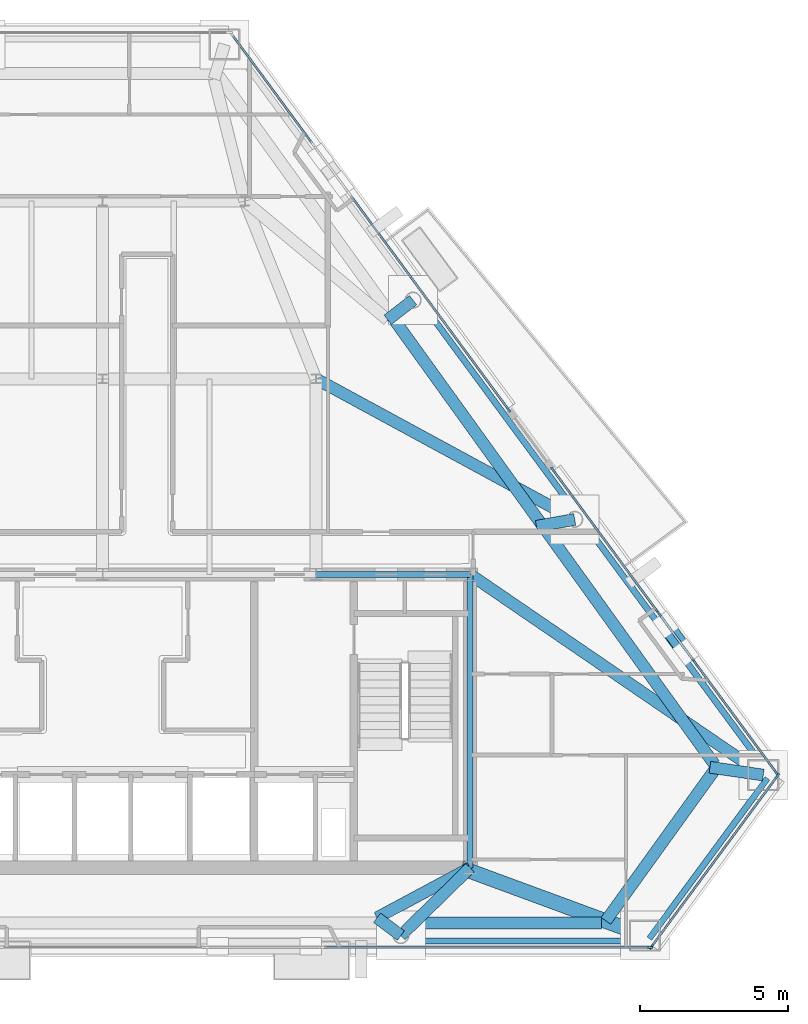
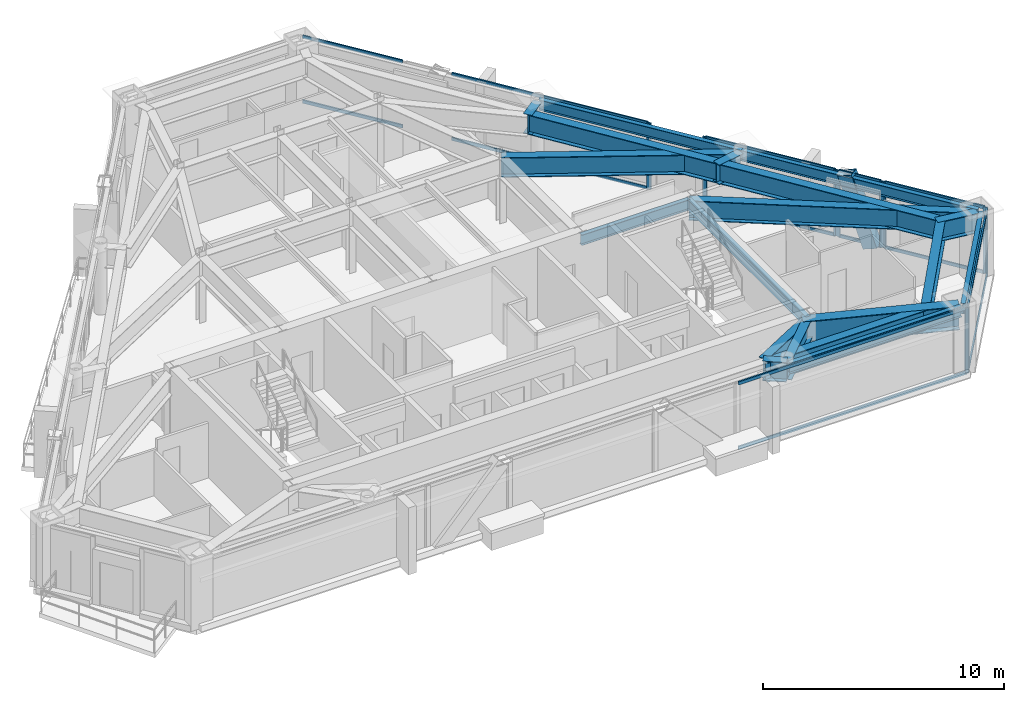
# One storey, part 5 of 12: 25 members, 19 beams, 7 elements without a shape of their own.
"""IFC4 building model written with IfcOpenShell, lengths in metres."""

from ifc_helpers import new_model, si_unit, direction, frame, origin, origin_2d, place, context, subcontext, project, spatial, rectangle, hollow_rectangle, i_section, extrude, material, layer, layer_set, material_profile, profile_set, type_object, element, aggregate, save


model = new_model("IFC4")

# Units and contexts
model_context = context("Model", 3, precision=1e-05, world=origin(), true_north=direction((0.0, 1.0)))
body_context = subcontext(model_context, "Body", "Model", "MODEL_VIEW")
ifc_project = project(units=[si_unit("LENGTHUNIT", "METRE"), si_unit("AREAUNIT", "SQUARE_METRE"), si_unit("VOLUMEUNIT", "CUBIC_METRE"), si_unit("PLANEANGLEUNIT", "RADIAN"), si_unit("MASSUNIT", "GRAM", prefix="KILO")], contexts=[model_context])

# Site, building, storey
site_placement = place(None, origin())
site = spatial("IfcSite", under=ifc_project, at=site_placement, CompositionType="ELEMENT")
building_placement = place(site_placement, origin())
building = spatial("IfcBuilding", under=site, at=building_placement, Name="Talgorran Terracotta Tower", CompositionType="ELEMENT")
storey_placement = place(building_placement, frame((0.0, 0.0, 182.10009765625)))
storey = spatial("IfcBuildingStorey", under=building, at=storey_placement, Name="L47", CompositionType="ELEMENT", Elevation=182.10009765625)

# Beams
ifc_material_1 = material(Name="Steel Grade 350 (350L0)", Category="steel")
ifc_material_profile_1 = material_profile(ifc_material_1, i_section(OverallWidth=0.39990234375, OverallDepth=1.0, WebThickness=0.01611328125, FlangeThickness=0.031005859375, at=origin_2d()), Name="1000WB296")
ifc_profile_set_1 = profile_set([ifc_material_profile_1], Name="Steel Grade 350 (350L0)")
beam_type_1 = type_object("IfcBeamType", Name="BM_1000WB296", PredefinedType="BEAM", material=ifc_profile_set_1)
beam_1_placement = place(storey_placement, frame((12.39990234375, -14.10009765625, 2.849853515625), z_axis=(-0.714577354867, -0.699556433686, 0.0), x_axis=(0.699556433686, -0.714577354867, 0.0)))
element("IfcBeam", 1, at=beam_1_placement, inside=storey, type_object=beam_type_1, Name="L47 South-East Core Tie Beam", PredefinedType="BEAM", context=body_context, shape_type="SweptSolid", body=[
    extrude(i_section(OverallWidth=0.39990234375, OverallDepth=1.0, WebThickness=0.01611328125, FlangeThickness=0.031005859375, at=origin_2d()), origin(), (0.0, 0.0, 1.0), 3.266845703125),
])
beam_2_placement = place(storey_placement, frame((9.259765625, -15.965576171875, 2.849853515625), z_axis=(1.0, 0.0, 0.0), x_axis=(0.0, 1.0, 0.0)))
element("IfcBeam", 2, at=beam_2_placement, inside=storey, type_object=beam_type_1, Name="L47 Setback Inner Spandrel Girder 4", PredefinedType="BEAM", context=body_context, shape_type="SweptSolid", body=[
    extrude(i_section(OverallWidth=0.39990234375, OverallDepth=1.0, WebThickness=0.01611328125, FlangeThickness=0.031005859375, at=origin_2d()), origin(), (0.0, 0.0, 1.0), 7.576171875),
])
beam_3_placement = place(storey_placement, frame((16.982177734375, -15.890869140625, 2.849853515625), z_axis=(0.584403369452, 0.811463308951, 0.0), x_axis=(-0.811463308951, 0.584403369452, 0.0)))
element("IfcBeam", 3, at=beam_3_placement, inside=storey, type_object=beam_type_1, Name="L47 Setback Inner Spandrel Girder 5", PredefinedType="BEAM", context=body_context, shape_type="SweptSolid", body=[
    extrude(i_section(OverallWidth=0.39990234375, OverallDepth=1.0, WebThickness=0.01611328125, FlangeThickness=0.031005859375, at=origin_2d()), origin(), (0.0, 0.0, 1.0), 6.2587890625),
])
beam_4_placement = place(storey_placement, frame((20.639892578125, -10.6015625, 2.849853515625), z_axis=(-0.584408080177, 0.811459916339, 0.0), x_axis=(-0.811459916339, -0.584408080177, 0.0)))
element("IfcBeam", 4, at=beam_4_placement, inside=storey, type_object=beam_type_1, Name="L47 Setback Inner Spandrel Girder 6", PredefinedType="BEAM", context=body_context, shape_type="SweptSolid", body=[
    extrude(i_section(OverallWidth=0.39990234375, OverallDepth=1.0, WebThickness=0.01611328125, FlangeThickness=0.031005859375, at=origin_2d()), origin(), (0.0, 0.0, 1.0), 10.018310546875),
])
beam_5_placement = place(storey_placement, frame((14.78515625, -2.47216796875, 2.849853515625), z_axis=(-0.584426052547, 0.811446972453, 0.0), x_axis=(-0.811446972453, -0.584426052547, 0.0)))
element("IfcBeam", 5, at=beam_5_placement, inside=storey, type_object=beam_type_1, Name="L47 Setback Inner Spandrel Girder 7", PredefinedType="BEAM", context=body_context, shape_type="SweptSolid", body=[
    extrude(i_section(OverallWidth=0.39990234375, OverallDepth=1.0, WebThickness=0.01611328125, FlangeThickness=0.031005859375, at=origin_2d()), origin(), (0.0, 0.0, 1.0), 8.587158203125),
])
beam_6_placement = place(storey_placement, frame((10.0654296875, -16.385498046875, 2.849853515625), z_axis=(-0.802095130729, 0.597196283697, 0.0), x_axis=(-0.597196283697, -0.802095130729, 0.0)))
element("IfcBeam", 6, at=beam_6_placement, inside=storey, type_object=beam_type_1, Name="L47 Perimeter Step Girder 4A", PredefinedType="BEAM", context=body_context, shape_type="SweptSolid", body=[
    extrude(i_section(OverallWidth=0.39990234375, OverallDepth=1.0, WebThickness=0.01611328125, FlangeThickness=0.031005859375, at=origin_2d()), origin(), (0.0, 0.0, 1.0), 1.00439453125),
])
beam_7_placement = place(storey_placement, frame((9.259765625, -15.78564453125, 2.849853515625), z_axis=(0.881090647675, 0.472947428981, 0.0), x_axis=(-0.472947428981, 0.881090647675, 0.0)))
element("IfcBeam", 7, at=beam_7_placement, inside=storey, type_object=beam_type_1, Name="L47 Perimeter Step Girder 4B", PredefinedType="BEAM", context=body_context, shape_type="SweptSolid", body=[
    extrude(i_section(OverallWidth=0.39990234375, OverallDepth=1.0, WebThickness=0.01611328125, FlangeThickness=0.031005859375, at=origin_2d()), origin(), (0.0, 0.0, 1.0), 3.56396484375),
])
beam_8_placement = place(storey_placement, frame((22.2939453125, -10.97021484375, 2.849853515625), z_axis=(-0.98946340849, 0.144783159447, 0.0), x_axis=(-0.144783159447, -0.98946340849, 0.0)))
element("IfcBeam", 8, at=beam_8_placement, inside=storey, type_object=beam_type_1, Name="L47 Perimeter Step Girder 6A", PredefinedType="BEAM", context=body_context, shape_type="SweptSolid", body=[
    extrude(i_section(OverallWidth=0.39990234375, OverallDepth=1.0, WebThickness=0.01611328125, FlangeThickness=0.031005859375, at=origin_2d()), origin(), (0.0, 0.0, 1.0), 1.819580078125),
])
beam_9_placement = place(storey_placement, frame((15.930908203125, -2.34130859375, 2.849853515625), z_axis=(-0.983711896277, -0.179752343859, 0.0), x_axis=(0.179752343859, -0.983711896277, 0.0)))
element("IfcBeam", 9, at=beam_9_placement, inside=storey, type_object=beam_type_1, Name="L47 Perimeter Step Girder 7A", PredefinedType="BEAM", context=body_context, shape_type="SweptSolid", body=[
    extrude(i_section(OverallWidth=0.39990234375, OverallDepth=1.0, WebThickness=0.01611328125, FlangeThickness=0.031005859375, at=origin_2d()), origin(), (0.0, 0.0, 1.0), 1.3134765625),
])
beam_10_placement = place(storey_placement, frame((10.47705078125, 5.0546875, 2.849853515625), z_axis=(-0.790273232006, -0.612754615466, 0.0), x_axis=(0.612754615466, -0.790273232006, 0.0)))
element("IfcBeam", 10, at=beam_10_placement, inside=storey, type_object=beam_type_1, Name="L47 Perimeter Step Girder 8A", PredefinedType="BEAM", context=body_context, shape_type="SweptSolid", body=[
    extrude(i_section(OverallWidth=0.39990234375, OverallDepth=1.0, WebThickness=0.01611328125, FlangeThickness=0.031005859375, at=origin_2d()), origin(), (0.0, 0.0, 1.0), 1.083740234375),
])
beam_11_placement = place(storey_placement, frame((7.199951171875, 2.39990234375, 2.849853515625), z_axis=(0.878788070387, -0.477212245594, 0.0), x_axis=(0.477212245594, 0.878788070387, 0.0)))
element("IfcBeam", 11, at=beam_11_placement, inside=storey, type_object=beam_type_1, Name="L47 Floor Girder G07", PredefinedType="BEAM", context=body_context, shape_type="SweptSolid", body=[
    extrude(i_section(OverallWidth=0.39990234375, OverallDepth=1.0, WebThickness=0.01611328125, FlangeThickness=0.031005859375, at=origin_2d()), origin(), (0.0, 0.0, 1.0), 9.935302734375),
])
beam_12_placement = place(storey_placement, frame((12.39990234375, -4.199951171875, 2.849853515625), z_axis=(0.82528178588, -0.564721147023, 0.0), x_axis=(0.564721147023, 0.82528178588, 0.0)))
element("IfcBeam", 12, at=beam_12_placement, inside=storey, type_object=beam_type_1, Name="L47 Floor Girder G18", PredefinedType="BEAM", context=body_context, shape_type="SweptSolid", body=[
    extrude(i_section(OverallWidth=0.39990234375, OverallDepth=1.0, WebThickness=0.01611328125, FlangeThickness=0.031005859375, at=origin_2d()), origin(), (0.0, 0.0, 1.0), 11.98876953125),
])
ifc_material_profile_2 = material_profile(ifc_material_1, i_section(OverallWidth=0.5, OverallDepth=1.199951171875, WebThickness=0.01611328125, FlangeThickness=0.035888671875, at=origin_2d()), Name="1200WB392")
ifc_profile_set_2 = profile_set([ifc_material_profile_2], Name="Steel Grade 350 (350L0)")
beam_type_2 = type_object("IfcBeamType", Name="BM_1200WB392", PredefinedType="BEAM", material=ifc_profile_set_2)
beam_13_placement = place(storey_placement, frame((18.30078125, -16.385498046875, 2.75), z_axis=(-0.938297063981, 0.345830333724, 0.0), x_axis=(-0.345830333724, -0.938297063981, 0.0)))
element("IfcBeam", 13, at=beam_13_placement, inside=storey, type_object=beam_type_2, Name="L47 Perimeter Step Girder 5", PredefinedType="BEAM", context=body_context, shape_type="SweptSolid", body=[
    extrude(i_section(OverallWidth=0.5, OverallDepth=1.199951171875, WebThickness=0.01611328125, FlangeThickness=0.035888671875, at=origin_2d()), origin(), (0.0, 0.0, 1.0), 6.6083984375),
])
ifc_material_2 = material(Name="Steel S355 (300PLUS)", Category="steel")
ifc_material_profile_3 = material_profile(ifc_material_2, i_section(OverallWidth=0.209228515625, OverallDepth=0.532958984375, WebThickness=0.01025390625, FlangeThickness=0.015625, at=origin_2d()), Name="530UB92.4")
ifc_profile_set_3 = profile_set([ifc_material_profile_3], Name="Steel S355 (300PLUS)")
beam_type_3 = type_object("IfcBeamType", Name="BM_SP_530UB92", PredefinedType="SPANDREL", material=ifc_profile_set_3)
beam_14_placement = place(storey_placement, frame((10.0654296875, -16.565673828125, 3.08349609375), z_axis=(1.0, 0.0, 0.0), x_axis=(0.0, 1.0, 0.0)))
element("IfcBeam", 14, at=beam_14_placement, inside=storey, type_object=beam_type_3, Name="L47 Perimeter Spandrel Beam FC2-MC3", PredefinedType="SPANDREL", context=body_context, shape_type="SweptSolid", body=[
    extrude(i_section(OverallWidth=0.209228515625, OverallDepth=0.532958984375, WebThickness=0.01025390625, FlangeThickness=0.015625, at=origin_2d()), origin(), (0.0, 0.0, 1.0), 8.2353515625),
])
beam_15_placement = place(storey_placement, frame((18.445556640625, -16.492431640625, 3.08349609375), z_axis=(0.593483681594, 0.804846022343, 0.0), x_axis=(-0.804846022343, 0.593483681594, 0.0)))
element("IfcBeam", 15, at=beam_15_placement, inside=storey, type_object=beam_type_3, Name="L47 Perimeter Spandrel Beam MC3-MC4", PredefinedType="SPANDREL", context=body_context, shape_type="SweptSolid", body=[
    extrude(i_section(OverallWidth=0.209228515625, OverallDepth=0.532958984375, WebThickness=0.01025390625, FlangeThickness=0.015625, at=origin_2d()), origin(), (0.0, 0.0, 1.0), 6.728271484375),
])
beam_16_placement = place(storey_placement, frame((22.438720703125, -10.863525390625, 3.08349609375), z_axis=(-0.593480195487, 0.804848592944, 0.0), x_axis=(-0.804848592944, -0.593480195487, 0.0)))
element("IfcBeam", 16, at=beam_16_placement, inside=storey, type_object=beam_type_3, Name="L47 Perimeter Spandrel Beam MC4-FC3", PredefinedType="SPANDREL", context=body_context, shape_type="SweptSolid", body=[
    extrude(i_section(OverallWidth=0.209228515625, OverallDepth=0.532958984375, WebThickness=0.01025390625, FlangeThickness=0.015625, at=origin_2d()), origin(), (0.0, 0.0, 1.0), 10.72119140625),
])
beam_17_placement = place(storey_placement, frame((16.075927734375, -2.234619140625, 3.08349609375), z_axis=(-0.593498050336, 0.804835426809, 0.0), x_axis=(-0.804835426809, -0.593498050336, 0.0)))
element("IfcBeam", 17, at=beam_17_placement, inside=storey, type_object=beam_type_3, Name="L47 Perimeter Spandrel Beam FC3-FC4", PredefinedType="SPANDREL", context=body_context, shape_type="SweptSolid", body=[
    extrude(i_section(OverallWidth=0.209228515625, OverallDepth=0.532958984375, WebThickness=0.01025390625, FlangeThickness=0.015625, at=origin_2d()), origin(), (0.0, 0.0, 1.0), 9.189697265625),
])
beam_18_placement = place(storey_placement, frame((12.39990234375, -14.10009765625, 3.08349609375), z_axis=(0.0, 1.0, 0.0), x_axis=(-1.0, 0.0, 0.0)))
element("IfcBeam", 18, at=beam_18_placement, inside=storey, type_object=beam_type_3, Name="L47 Core Frame Beam CFE", PredefinedType="SPANDREL", context=body_context, shape_type="SweptSolid", body=[
    extrude(i_section(OverallWidth=0.209228515625, OverallDepth=0.532958984375, WebThickness=0.01025390625, FlangeThickness=0.015625, at=origin_2d()), origin(), (0.0, 0.0, 1.0), 9.900146484375),
])
beam_19_placement = place(storey_placement, frame((7.199951171875, -4.199951171875, 3.08349609375), z_axis=(1.0, 0.0, 0.0), x_axis=(0.0, 1.0, 0.0)))
element("IfcBeam", 19, at=beam_19_placement, inside=storey, type_object=beam_type_3, Name="L47 Core Frame Beam CFN4", PredefinedType="SPANDREL", context=body_context, shape_type="SweptSolid", body=[
    extrude(i_section(OverallWidth=0.209228515625, OverallDepth=0.532958984375, WebThickness=0.01025390625, FlangeThickness=0.015625, at=origin_2d()), origin(), (0.0, 0.0, 1.0), 5.199951171875),
])

# Member
ifc_material_profile_4 = material_profile(ifc_material_1, hollow_rectangle(XDim=0.52001953125, YDim=0.659912109375, WallThickness=0.034912109375, at=origin_2d()), Name="WBOX660X520X35")
ifc_profile_set_4 = profile_set([ifc_material_profile_4], Name="Steel Grade 350 (350L0)")
member_type_1 = type_object("IfcMemberType", Name="MB_MEGA_660", PredefinedType="BRACE", material=ifc_profile_set_4)
member_1_placement = place(storey_placement, frame((19.67919921875, -6.818115234375, -0.025146484375), z_axis=(-0.190111846593, 0.257858322159, 0.947294342577), x_axis=(-0.804890374823, -0.593423528787, 0.0)))
element("IfcMember", 20, at=member_1_placement, inside=storey, type_object=member_type_1, Name="L47 Exterior Face Mega-Brace MB-3 (NEL)", PredefinedType="BRACE", context=body_context, shape_type="SweptSolid", body=[
    extrude(hollow_rectangle(XDim=0.52001953125, YDim=0.659912109375, WallThickness=0.034912109375, at=origin_2d()), origin(), (0.0, 0.0, 1.0), 3.58935546875),
])

# Curtain wall, member
ifc_material_3 = material(Name="High-Wind Unitised Glazing", Category="glass")
ifc_layer = layer(ifc_material_3, 0.2099609375, Name="CW_SYS3_RES_HIGH")
ifc_layer_set = layer_set([ifc_layer], Name="High-Wind Unitised Glazing")
curtain_wall_type = type_object("IfcCurtainWallType", Name="CW_SYS3_RES_HIGH", PredefinedType="NOTDEFINED", material=ifc_layer_set)
curtain_wall_1_placement = place(storey_placement, origin())
curtain_wall_1 = element("IfcCurtainWall", 21, at=curtain_wall_1_placement, inside=storey, type_object=curtain_wall_type, Name="CW-L47-F1E", PredefinedType="NOTDEFINED")
ifc_material_4 = material(Name="Architectural Aluminium 6063-T6", Category="aluminium")
ifc_material_profile_5 = material_profile(ifc_material_4, rectangle(XDim=0.070068359375, YDim=0.199951171875, at=origin_2d()), Name="CWM70X200")
ifc_profile_set_5 = profile_set([ifc_material_profile_5], Name="Architectural Aluminium 6063-T6")
member_type_2 = type_object("IfcMemberType", Name="MUL_70X200", PredefinedType="MULLION", material=ifc_profile_set_5)
member_2_placement = place(storey_placement, frame((18.4677734375, -16.78564453125, 0.0), z_axis=(0.0, 0.0, 1.0), x_axis=(0.0, 1.0, 0.0)))
member_2 = element("IfcMember", 22, at=member_2_placement, type_object=member_type_2, Name="CW-L47-1E mullion 2", PredefinedType="MULLION", context=body_context, shape_type="SweptSolid", body=[
    extrude(rectangle(XDim=0.070068359375, YDim=0.199951171875, at=origin_2d()), origin(), (0.0, 0.0, 1.0), 3.349853515625),
])

# Curtain wall, members
curtain_wall_2_placement = place(storey_placement, origin())
curtain_wall_2 = element("IfcCurtainWall", 23, at=curtain_wall_2_placement, inside=storey, type_object=curtain_wall_type, Name="CW-L47-F2", PredefinedType="NOTDEFINED")
member_3_placement = place(storey_placement, frame((18.5234375, -16.75732421875, 0.0), z_axis=(0.0, 0.0, 1.0), x_axis=(-0.804841499819, 0.593489814714, 0.0)))
member_3 = element("IfcMember", 24, at=member_3_placement, type_object=member_type_2, Name="CW-L47-2 mullion 1", PredefinedType="MULLION", context=body_context, shape_type="SweptSolid", body=[
    extrude(rectangle(XDim=0.070068359375, YDim=0.199951171875, at=origin_2d()), origin(), (0.0, 0.0, 1.0), 3.349853515625),
])
member_4_placement = place(storey_placement, frame((22.77001953125, -10.99853515625, 0.0), z_axis=(0.0, 0.0, 1.0), x_axis=(-0.804841499819, 0.593489814714, 0.0)))
member_4 = element("IfcMember", 25, at=member_4_placement, type_object=member_type_2, Name="CW-L47-2 mullion 2", PredefinedType="MULLION", context=body_context, shape_type="SweptSolid", body=[
    extrude(rectangle(XDim=0.070068359375, YDim=0.199951171875, at=origin_2d()), origin(), (0.0, 0.0, 1.0), 3.349853515625),
])

curtain_wall_3_placement = place(storey_placement, origin())
curtain_wall_3 = element("IfcCurtainWall", 26, at=curtain_wall_3_placement, inside=storey, type_object=curtain_wall_type, Name="CW-L47-F40", PredefinedType="NOTDEFINED")
member_5_placement = place(storey_placement, frame((22.746337890625, -10.909912109375, 0.0), z_axis=(0.0, 0.0, 1.0), x_axis=(-0.804836710132, -0.593496310034, 0.0)))
member_5 = element("IfcMember", 27, at=member_5_placement, type_object=member_type_2, Name="CW-L47-40 mullion 1", PredefinedType="MULLION", context=body_context, shape_type="SweptSolid", body=[
    extrude(rectangle(XDim=0.070068359375, YDim=0.199951171875, at=origin_2d()), origin(), (0.0, 0.0, 1.0), 3.349853515625),
])
member_6_placement = place(storey_placement, frame((20.009765625, -7.19873046875, 0.0), z_axis=(0.0, 0.0, 1.0), x_axis=(-0.804836710132, -0.593496310034, 0.0)))
member_6 = element("IfcMember", 28, at=member_6_placement, type_object=member_type_2, Name="CW-L47-40 mullion 2", PredefinedType="MULLION", context=body_context, shape_type="SweptSolid", body=[
    extrude(rectangle(XDim=0.070068359375, YDim=0.199951171875, at=origin_2d()), origin(), (0.0, 0.0, 1.0), 3.349853515625),
])

curtain_wall_4_placement = place(storey_placement, origin())
curtain_wall_4 = element("IfcCurtainWall", 29, at=curtain_wall_4_placement, inside=storey, type_object=curtain_wall_type, Name="CW-L47-F40B", PredefinedType="NOTDEFINED")
member_7_placement = place(storey_placement, frame((19.96240234375, -7.134521484375, 0.0), z_axis=(0.0, 0.0, 1.0), x_axis=(-0.804842805539, -0.593488044001, 0.0)))
member_7 = element("IfcMember", 30, at=member_7_placement, type_object=member_type_2, Name="CW-L47-40B mullion 1", PredefinedType="MULLION", context=body_context, shape_type="SweptSolid", body=[
    extrude(rectangle(XDim=0.070068359375, YDim=0.199951171875, at=origin_2d()), origin(), (0.0, 0.0, 1.0), 3.349853515625),
])
member_8_placement = place(storey_placement, frame((18.778076171875, -5.528564453125, 0.0), z_axis=(0.0, 0.0, 1.0), x_axis=(-0.804842805539, -0.593488044001, 0.0)))
member_8 = element("IfcMember", 31, at=member_8_placement, type_object=member_type_2, Name="CW-L47-40B mullion 2", PredefinedType="MULLION", context=body_context, shape_type="SweptSolid", body=[
    extrude(rectangle(XDim=0.070068359375, YDim=0.199951171875, at=origin_2d()), origin(), (0.0, 0.0, 1.0), 3.349853515625),
])

curtain_wall_5_placement = place(storey_placement, origin())
curtain_wall_5 = element("IfcCurtainWall", 32, at=curtain_wall_5_placement, inside=storey, type_object=curtain_wall_type, Name="CW-L47-F40C", PredefinedType="NOTDEFINED")
member_9_placement = place(storey_placement, frame((18.730712890625, -5.464111328125, 0.0), z_axis=(0.0, 0.0, 1.0), x_axis=(-0.804839362357, -0.593492713351, 0.0)))
member_9 = element("IfcMember", 33, at=member_9_placement, type_object=member_type_2, Name="CW-L47-40C mullion 1", PredefinedType="MULLION", context=body_context, shape_type="SweptSolid", body=[
    extrude(rectangle(XDim=0.070068359375, YDim=0.199951171875, at=origin_2d()), origin(), (0.0, 0.0, 1.0), 3.349853515625),
])
member_10_placement = place(storey_placement, frame((15.195068359375, -0.66943359375, 0.0), z_axis=(0.0, 0.0, 1.0), x_axis=(-0.804839362357, -0.593492713351, 0.0)))
member_10 = element("IfcMember", 34, at=member_10_placement, type_object=member_type_2, Name="CW-L47-40C mullion 2", PredefinedType="MULLION", context=body_context, shape_type="SweptSolid", body=[
    extrude(rectangle(XDim=0.070068359375, YDim=0.199951171875, at=origin_2d()), origin(), (0.0, 0.0, 1.0), 3.349853515625),
])

# Curtain wall, member
curtain_wall_6_placement = place(storey_placement, origin())
curtain_wall_6 = element("IfcCurtainWall", 35, at=curtain_wall_6_placement, inside=storey, type_object=curtain_wall_type, Name="CW-L47-F41", PredefinedType="NOTDEFINED")
member_11_placement = place(storey_placement, frame((13.693359375, 1.366943359375, 0.0), z_axis=(0.0, 0.0, 1.0), x_axis=(-0.804842214482, -0.593488845546, 0.0)))
member_11 = element("IfcMember", 36, at=member_11_placement, type_object=member_type_2, Name="CW-L47-41 mullion 1", PredefinedType="MULLION", context=body_context, shape_type="SweptSolid", body=[
    extrude(rectangle(XDim=0.070068359375, YDim=0.199951171875, at=origin_2d()), origin(), (0.0, 0.0, 1.0), 3.349853515625),
])

# Member
ifc_material_profile_6 = material_profile(ifc_material_4, rectangle(XDim=0.070068359375, YDim=0.159912109375, at=origin_2d()), Name="CWT70X160")
ifc_profile_set_6 = profile_set([ifc_material_profile_6], Name="Architectural Aluminium 6063-T6")
member_type_3 = type_object("IfcMemberType", Name="TRN_70X160", PredefinedType="USERDEFINED", material=ifc_profile_set_6)
member_12_placement = place(storey_placement, frame((7.49072265625, -16.78564453125, 0.034912109375), z_axis=(1.0, 0.0, 0.0), x_axis=(0.0, 1.0, 0.0)))
member_12 = element("IfcMember", 37, at=member_12_placement, type_object=member_type_3, Name="CW-L47-1E transom 1.1", ObjectType="TRANSOM", PredefinedType="USERDEFINED", context=body_context, shape_type="SweptSolid", body=[
    extrude(rectangle(XDim=0.070068359375, YDim=0.159912109375, at=origin_2d()), origin(), (0.0, 0.0, 1.0), 10.94189453125),
])

member_13_placement = place(storey_placement, frame((7.49072265625, -16.78564453125, 3.31494140625), z_axis=(1.0, 0.0, 0.0), x_axis=(0.0, 1.0, 0.0)))
member_13 = element("IfcMember", 38, at=member_13_placement, type_object=member_type_3, Name="CW-L47-1E transom 1.2", ObjectType="TRANSOM", PredefinedType="USERDEFINED", context=body_context, shape_type="SweptSolid", body=[
    extrude(rectangle(XDim=0.070068359375, YDim=0.159912109375, at=origin_2d()), origin(), (0.0, 0.0, 1.0), 10.94189453125),
])

aggregate(curtain_wall_1, [member_2, member_12, member_13])

member_14_placement = place(storey_placement, frame((18.544189453125, -16.729248046875, 0.034912109375), z_axis=(0.593485790765, 0.804844467062, 0.0), x_axis=(-0.804844467062, 0.593485790765, 0.0)))
member_14 = element("IfcMember", 39, at=member_14_placement, type_object=member_type_3, Name="CW-L47-2 transom 1.1", ObjectType="TRANSOM", PredefinedType="USERDEFINED", context=body_context, shape_type="SweptSolid", body=[
    extrude(rectangle(XDim=0.070068359375, YDim=0.159912109375, at=origin_2d()), origin(), (0.0, 0.0, 1.0), 7.08544921875),
])

member_15_placement = place(storey_placement, frame((18.544189453125, -16.729248046875, 3.31494140625), z_axis=(0.593485790765, 0.804844467062, 0.0), x_axis=(-0.804844467062, 0.593485790765, 0.0)))
member_15 = element("IfcMember", 40, at=member_15_placement, type_object=member_type_3, Name="CW-L47-2 transom 1.2", ObjectType="TRANSOM", PredefinedType="USERDEFINED", context=body_context, shape_type="SweptSolid", body=[
    extrude(rectangle(XDim=0.070068359375, YDim=0.159912109375, at=origin_2d()), origin(), (0.0, 0.0, 1.0), 7.08544921875),
])

aggregate(curtain_wall_2, [member_3, member_4, member_14, member_15])

member_16_placement = place(storey_placement, frame((22.7255859375, -10.8818359375, 0.034912109375), z_axis=(-0.593494262543, 0.804838219972, 0.0), x_axis=(-0.804838219972, -0.593494262543, 0.0)))
member_16 = element("IfcMember", 41, at=member_16_placement, type_object=member_type_3, Name="CW-L47-40 transom 1.1", ObjectType="TRANSOM", PredefinedType="USERDEFINED", context=body_context, shape_type="SweptSolid", body=[
    extrude(rectangle(XDim=0.070068359375, YDim=0.159912109375, at=origin_2d()), origin(), (0.0, 0.0, 1.0), 4.541015625),
])

member_17_placement = place(storey_placement, frame((22.7255859375, -10.8818359375, 3.31494140625), z_axis=(-0.593494262543, 0.804838219972, 0.0), x_axis=(-0.804838219972, -0.593494262543, 0.0)))
member_17 = element("IfcMember", 42, at=member_17_placement, type_object=member_type_3, Name="CW-L47-40 transom 1.2", ObjectType="TRANSOM", PredefinedType="USERDEFINED", context=body_context, shape_type="SweptSolid", body=[
    extrude(rectangle(XDim=0.070068359375, YDim=0.159912109375, at=origin_2d()), origin(), (0.0, 0.0, 1.0), 4.541015625),
])

aggregate(curtain_wall_3, [member_5, member_6, member_16, member_17])

member_18_placement = place(storey_placement, frame((19.941650390625, -7.106201171875, 0.034912109375), z_axis=(-0.59354933146, 0.804797608796, 0.0), x_axis=(-0.804797608796, -0.59354933146, 0.0)))
member_18 = element("IfcMember", 43, at=member_18_placement, type_object=member_type_3, Name="CW-L47-40B transom 1.1", ObjectType="TRANSOM", PredefinedType="USERDEFINED", context=body_context, shape_type="SweptSolid", body=[
    extrude(rectangle(XDim=0.070068359375, YDim=0.159912109375, at=origin_2d()), origin(), (0.0, 0.0, 1.0), 1.92529296875),
])

member_19_placement = place(storey_placement, frame((19.941650390625, -7.106201171875, 3.31494140625), z_axis=(-0.59354933146, 0.804797608796, 0.0), x_axis=(-0.804797608796, -0.59354933146, 0.0)))
member_19 = element("IfcMember", 44, at=member_19_placement, type_object=member_type_3, Name="CW-L47-40B transom 1.2", ObjectType="TRANSOM", PredefinedType="USERDEFINED", context=body_context, shape_type="SweptSolid", body=[
    extrude(rectangle(XDim=0.070068359375, YDim=0.159912109375, at=origin_2d()), origin(), (0.0, 0.0, 1.0), 1.92529296875),
])

aggregate(curtain_wall_4, [member_7, member_8, member_18, member_19])

member_20_placement = place(storey_placement, frame((18.7099609375, -5.43603515625, 0.034912109375), z_axis=(-0.593484732765, 0.804845247221, 0.0), x_axis=(-0.804845247221, -0.593484732765, 0.0)))
member_20 = element("IfcMember", 45, at=member_20_placement, type_object=member_type_3, Name="CW-L47-40C transom 1.1", ObjectType="TRANSOM", PredefinedType="USERDEFINED", context=body_context, shape_type="SweptSolid", body=[
    extrude(rectangle(XDim=0.070068359375, YDim=0.159912109375, at=origin_2d()), origin(), (0.0, 0.0, 1.0), 5.887451171875),
])

member_21_placement = place(storey_placement, frame((18.7099609375, -5.43603515625, 3.31494140625), z_axis=(-0.593484732765, 0.804845247221, 0.0), x_axis=(-0.804845247221, -0.593484732765, 0.0)))
member_21 = element("IfcMember", 46, at=member_21_placement, type_object=member_type_3, Name="CW-L47-40C transom 1.2", ObjectType="TRANSOM", PredefinedType="USERDEFINED", context=body_context, shape_type="SweptSolid", body=[
    extrude(rectangle(XDim=0.070068359375, YDim=0.159912109375, at=origin_2d()), origin(), (0.0, 0.0, 1.0), 5.887451171875),
])

aggregate(curtain_wall_5, [member_9, member_10, member_20, member_21])

member_22_placement = place(storey_placement, frame((13.672607421875, 1.39501953125, 0.034912109375), z_axis=(-0.593478834766, 0.804849596313, 0.0), x_axis=(-0.804849596313, -0.593478834766, 0.0)))
member_22 = element("IfcMember", 47, at=member_22_placement, type_object=member_type_3, Name="CW-L47-41 transom 1.1", ObjectType="TRANSOM", PredefinedType="USERDEFINED", context=body_context, shape_type="SweptSolid", body=[
    extrude(rectangle(XDim=0.070068359375, YDim=0.159912109375, at=origin_2d()), origin(), (0.0, 0.0, 1.0), 8.8984375),
])

member_23_placement = place(storey_placement, frame((13.672607421875, 1.39501953125, 3.31494140625), z_axis=(-0.593478834766, 0.804849596313, 0.0), x_axis=(-0.804849596313, -0.593478834766, 0.0)))
member_23 = element("IfcMember", 48, at=member_23_placement, type_object=member_type_3, Name="CW-L47-41 transom 1.2", ObjectType="TRANSOM", PredefinedType="USERDEFINED", context=body_context, shape_type="SweptSolid", body=[
    extrude(rectangle(XDim=0.070068359375, YDim=0.159912109375, at=origin_2d()), origin(), (0.0, 0.0, 1.0), 8.8984375),
])

aggregate(curtain_wall_6, [member_11, member_22, member_23])

# Curtain wall, members
curtain_wall_7_placement = place(storey_placement, origin())
curtain_wall_7 = element("IfcCurtainWall", 49, at=curtain_wall_7_placement, inside=storey, type_object=curtain_wall_type, Name="CW-L47-F41C", PredefinedType="NOTDEFINED")
member_24_placement = place(storey_placement, frame((7.071044921875, 10.34765625, 0.034912109375), z_axis=(-0.593498528357, 0.804835074309, 0.0), x_axis=(-0.804835074309, -0.593498528357, 0.0)))
member_24 = element("IfcMember", 50, at=member_24_placement, type_object=member_type_3, Name="CW-L47-41C transom 1.1", ObjectType="TRANSOM", PredefinedType="USERDEFINED", context=body_context, shape_type="SweptSolid", body=[
    extrude(rectangle(XDim=0.070068359375, YDim=0.159912109375, at=origin_2d()), origin(), (0.0, 0.0, 1.0), 4.531982421875),
])
member_25_placement = place(storey_placement, frame((7.071044921875, 10.34765625, 3.31494140625), z_axis=(-0.593498528357, 0.804835074309, 0.0), x_axis=(-0.804835074309, -0.593498528357, 0.0)))
member_25 = element("IfcMember", 51, at=member_25_placement, type_object=member_type_3, Name="CW-L47-41C transom 1.2", ObjectType="TRANSOM", PredefinedType="USERDEFINED", context=body_context, shape_type="SweptSolid", body=[
    extrude(rectangle(XDim=0.070068359375, YDim=0.159912109375, at=origin_2d()), origin(), (0.0, 0.0, 1.0), 4.531982421875),
])
aggregate(curtain_wall_7, [member_24, member_25])

save(model, "model.ifc")
